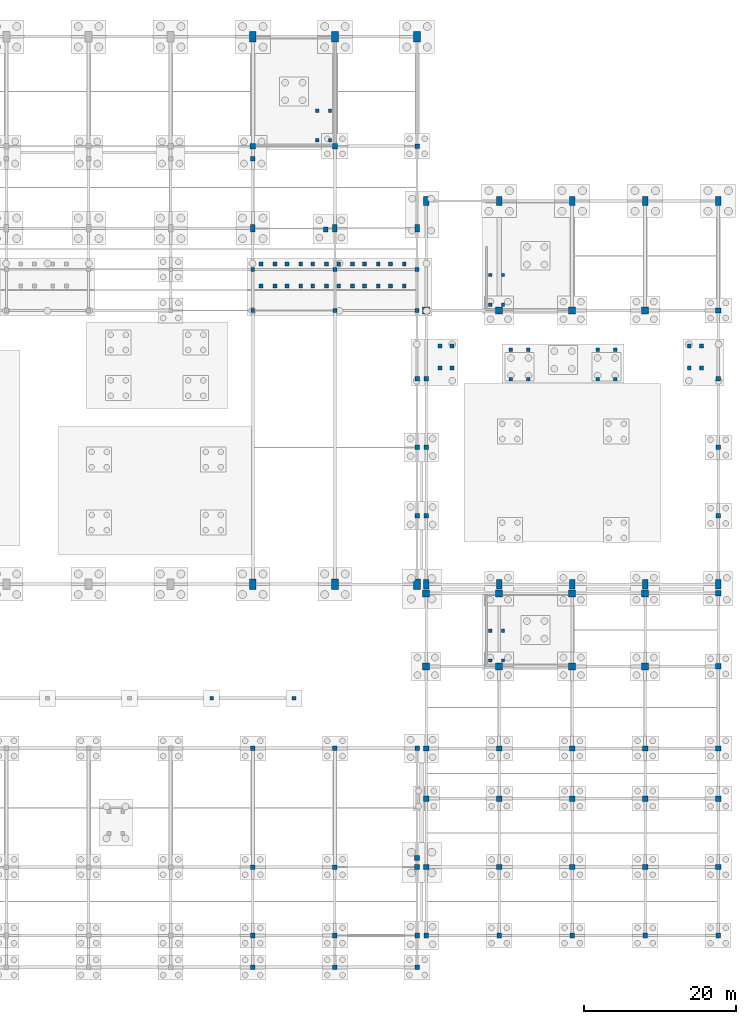
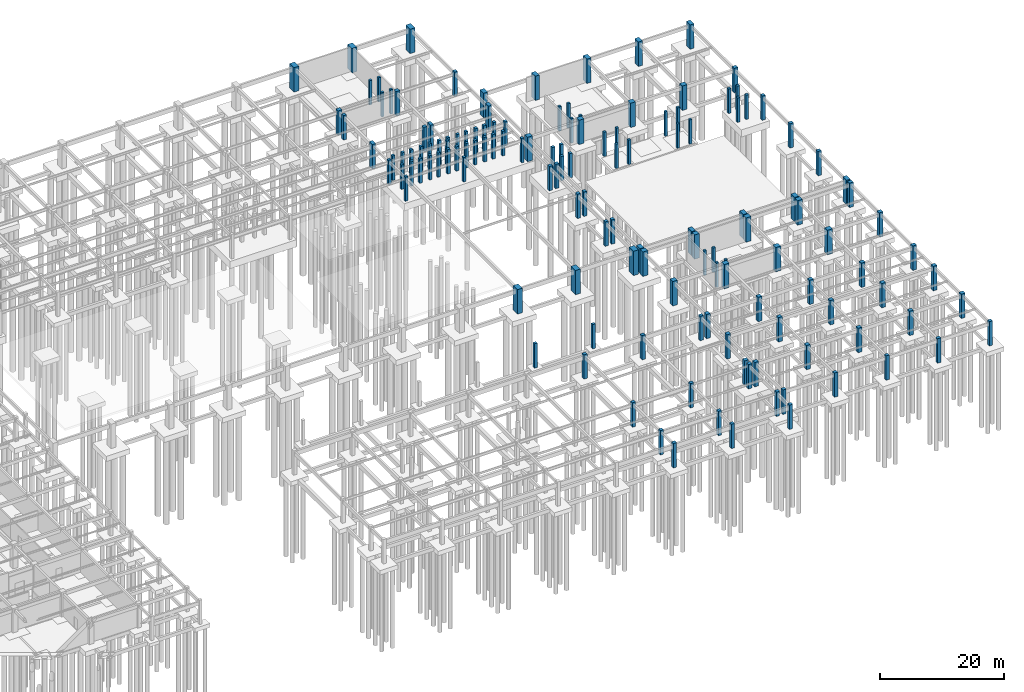
# One storey, part 13 of 33: 141 columns.
"""IFC4 building model written with IfcOpenShell, lengths in metres."""

from ifc_helpers import new_model, si_unit, direction, frame, origin, origin_2d, place, context, subcontext, project, spatial, rectangle, extrude, material, material_profile, profile_set, type_object, element, save


model = new_model("IFC4")

# Units and contexts
model_context = context("Model", 3, precision=1e-05, world=origin(), true_north=direction((0.0, 1.0)))
body_context = subcontext(model_context, "Body", "Model", "MODEL_VIEW")
ifc_project = project(units=[si_unit("LENGTHUNIT", "METRE"), si_unit("AREAUNIT", "SQUARE_METRE"), si_unit("VOLUMEUNIT", "CUBIC_METRE"), si_unit("PLANEANGLEUNIT", "RADIAN"), si_unit("MASSUNIT", "GRAM", prefix="KILO")], contexts=[model_context])

# Site, building, storey
site_placement = place(None, origin())
site = spatial("IfcSite", under=ifc_project, at=site_placement, CompositionType="ELEMENT")
building_placement = place(site_placement, origin())
building = spatial("IfcBuilding", under=site, at=building_placement, Name="Suirenkawa Promenade Aquatics Centre", CompositionType="ELEMENT")
storey_placement = place(building_placement, frame((0.0, 0.0, -4.800048828125)))
storey = spatial("IfcBuildingStorey", under=building, at=storey_placement, Name="B1", CompositionType="ELEMENT", Elevation=-4.800048828125)

# Columns
ifc_material = material(Name="Concrete M40", Category="concrete")
ifc_material_profile_1 = material_profile(ifc_material, rectangle(XDim=0.60009765625, YDim=1.0, at=origin_2d()), Name="RC PIER 600x1000", Category="concrete")
ifc_profile_set_1 = profile_set([ifc_material_profile_1], Name="Concrete M40")
column_type_1 = type_object("IfcColumnType", Name="CT-PIER-600x1000", PredefinedType="COLUMN", material=ifc_profile_set_1)
for number, where, z_axis, x_axis, name in (
    (1, (133.199951171875, 97.199951171875, 0.0), (0.0, 0.0, 1.0), (1.0, 0.0, 0.0), "Column CL-07 COL-0145"),
    (2, (144.0, 97.199951171875, 0.0), (0.0, 0.0, 1.0), (1.0, 0.0, 0.0), "Column CL-07 COL-0151"),
    (3, (154.800048828125, 97.199951171875, 0.0), (0.0, 0.0, 1.0), (1.0, 0.0, 0.0), "Column CL-07 COL-0157"),
):
    element("IfcColumn", number, at=place(storey_placement, frame(where, z_axis=z_axis, x_axis=x_axis)), inside=storey, type_object=column_type_1, Name=name, PredefinedType="COLUMN", context=body_context, shape_type="SweptSolid", body=[
        extrude(rectangle(XDim=0.60009765625, YDim=1.0, at=origin_2d()), origin(), (0.0, 0.0, 1.0), 4.800048828125),
    ])
ifc_material_profile_2 = material_profile(ifc_material, rectangle(XDim=0.75, YDim=1.199951171875, at=origin_2d()), Name="RC PIER 750x1200", Category="concrete")
ifc_profile_set_2 = profile_set([ifc_material_profile_2], Name="Concrete M40")
column_type_2 = type_object("IfcColumnType", Name="CT-PIER-750x1200", PredefinedType="COLUMN", material=ifc_profile_set_2)
for number, where, z_axis, x_axis, name in (
    (4, (156.0, 100.800048828125, 0.0), (0.0, 0.0, 1.0), (1.0, 0.0, 0.0), "Column CL-08 COL-0011"),
    (5, (165.60009765625, 100.800048828125, 0.0), (0.0, 0.0, 1.0), (1.0, 0.0, 0.0), "Column CL-08 COL-0016"),
    (6, (175.199951171875, 100.800048828125, 0.0), (0.0, 0.0, 1.0), (1.0, 0.0, 0.0), "Column CL-08 COL-0021"),
    (7, (184.800048828125, 100.800048828125, 0.0), (0.0, 0.0, 1.0), (1.0, 0.0, 0.0), "Column CL-08 COL-0026"),
    (8, (194.39990234375, 100.800048828125, 0.0), (0.0, 0.0, 1.0), (1.0, 0.0, 0.0), "Column CL-08 COL-0031"),
    (9, (156.0, 50.39990234375, 0.0), (0.0, 0.0, 1.0), (1.0, 0.0, 0.0), "Column CL-08 COL-0080"),
    (10, (165.60009765625, 50.39990234375, 0.0), (0.0, 0.0, 1.0), (1.0, 0.0, 0.0), "Column CL-08 COL-0084"),
    (11, (175.199951171875, 50.39990234375, 0.0), (0.0, 0.0, 1.0), (1.0, 0.0, 0.0), "Column CL-08 COL-0088"),
    (12, (184.800048828125, 50.39990234375, 0.0), (0.0, 0.0, 1.0), (1.0, 0.0, 0.0), "Column CL-08 COL-0092"),
    (13, (194.39990234375, 50.39990234375, 0.0), (0.0, 0.0, 1.0), (1.0, 0.0, 0.0), "Column CL-08 COL-0096"),
):
    element("IfcColumn", number, at=place(storey_placement, frame(where, z_axis=z_axis, x_axis=x_axis)), inside=storey, type_object=column_type_2, Name=name, PredefinedType="COLUMN", context=body_context, shape_type="SweptSolid", body=[
        extrude(rectangle(XDim=0.75, YDim=1.199951171875, at=origin_2d()), origin(), (0.0, 0.0, 1.0), 4.800048828125),
    ])
ifc_material_profile_3 = material_profile(ifc_material, rectangle(XDim=0.89990234375, YDim=1.39990234375, at=origin_2d()), Name="RC PIER 900x1400", Category="concrete")
ifc_profile_set_3 = profile_set([ifc_material_profile_3], Name="Concrete M40")
column_type_3 = type_object("IfcColumnType", Name="CT-PIER-900x1400", PredefinedType="COLUMN", material=ifc_profile_set_3)
for number, where, z_axis, x_axis, name in (
    (14, (133.199951171875, 122.39990234375, 0.0), (0.0, 0.0, 1.0), (1.0, 0.0, 0.0), "Column CL-09 COL-0068"),
    (15, (144.0, 122.39990234375, 0.0), (0.0, 0.0, 1.0), (1.0, 0.0, 0.0), "Column CL-09 COL-0072"),
    (16, (154.800048828125, 122.39990234375, 0.0), (0.0, 0.0, 1.0), (1.0, 0.0, 0.0), "Column CL-09 COL-0076"),
    (17, (133.199951171875, 50.39990234375, 0.0), (0.0, 0.0, 1.0), (1.0, 0.0, 0.0), "Column CL-09 COL-0142"),
    (18, (144.0, 50.39990234375, 0.0), (0.0, 0.0, 1.0), (1.0, 0.0, 0.0), "Column CL-09 COL-0148"),
    (19, (154.800048828125, 50.39990234375, 0.0), (0.0, 0.0, 1.0), (1.0, 0.0, 0.0), "Column CL-09 COL-0154"),
):
    element("IfcColumn", number, at=place(storey_placement, frame(where, z_axis=z_axis, x_axis=x_axis)), inside=storey, type_object=column_type_3, Name=name, PredefinedType="COLUMN", context=body_context, shape_type="SweptSolid", body=[
        extrude(rectangle(XDim=0.89990234375, YDim=1.39990234375, at=origin_2d()), origin(), (0.0, 0.0, 1.0), 4.800048828125),
    ])
ifc_material_profile_4 = material_profile(ifc_material, rectangle(XDim=0.449951171875, YDim=0.449951171875, at=origin_2d()), Name="RC COL 450x450", Category="concrete")
ifc_profile_set_4 = profile_set([ifc_material_profile_4], Name="Concrete M40")
column_type_4 = type_object("IfcColumnType", Name="CT-RC-450", PredefinedType="COLUMN", material=ifc_profile_set_4)
for number, where, z_axis, x_axis, name in (
    (20, (167.14990234375, 77.35009765625, 0.0), (0.0, 0.0, 1.0), (1.0, 0.0, 0.0), "Column CL-01 COL-1115"),
    (21, (167.14990234375, 81.25, 0.0), (0.0, 0.0, 1.0), (1.0, 0.0, 0.0), "Column CL-01 COL-1117"),
    (22, (169.449951171875, 77.35009765625, 0.0), (0.0, 0.0, 1.0), (1.0, 0.0, 0.0), "Column CL-01 COL-1119"),
    (23, (169.449951171875, 81.25, 0.0), (0.0, 0.0, 1.0), (1.0, 0.0, 0.0), "Column CL-01 COL-1121"),
    (24, (178.550048828125, 77.35009765625, 0.0), (0.0, 0.0, 1.0), (1.0, 0.0, 0.0), "Column CL-01 COL-1123"),
    (25, (178.550048828125, 81.25, 0.0), (0.0, 0.0, 1.0), (1.0, 0.0, 0.0), "Column CL-01 COL-1125"),
    (26, (180.85009765625, 77.35009765625, 0.0), (0.0, 0.0, 1.0), (1.0, 0.0, 0.0), "Column CL-01 COL-1127"),
    (27, (180.85009765625, 81.25, 0.0), (0.0, 0.0, 1.0), (1.0, 0.0, 0.0), "Column CL-01 COL-1129"),
    (28, (143.35009765625, 108.77001953125, 0.0), (0.0, 0.0, 1.0), (1.0, 0.0, 0.0), "Core stair landing column CL-01 COL-CR-C4-B1-1"),
    (29, (141.699951171875, 108.77001953125, 0.0), (0.0, 0.0, 1.0), (1.0, 0.0, 0.0), "Core stair landing column CL-01 COL-CR-C4-B1-2"),
    (30, (143.35009765625, 112.659912109375, 0.0), (0.0, 0.0, 1.0), (1.0, 0.0, 0.0), "Core stair landing column CL-01 COL-CR-C4-B1-3"),
    (31, (141.699951171875, 112.659912109375, 0.0), (0.0, 0.0, 1.0), (1.0, 0.0, 0.0), "Core stair landing column CL-01 COL-CR-C4-B1-4"),
    (32, (164.449951171875, 87.169921875, 0.0), (0.0, 0.0, 1.0), (1.0, 0.0, 0.0), "Core stair landing column CL-01 COL-CR-C5-B1-1"),
    (33, (166.10009765625, 87.169921875, 0.0), (0.0, 0.0, 1.0), (1.0, 0.0, 0.0), "Core stair landing column CL-01 COL-CR-C5-B1-2"),
    (34, (164.449951171875, 91.06005859375, 0.0), (0.0, 0.0, 1.0), (1.0, 0.0, 0.0), "Core stair landing column CL-01 COL-CR-C5-B1-3"),
    (35, (166.10009765625, 91.06005859375, 0.0), (0.0, 0.0, 1.0), (1.0, 0.0, 0.0), "Core stair landing column CL-01 COL-CR-C5-B1-4"),
    (36, (164.449951171875, 40.3701171875, 0.0), (0.0, 0.0, 1.0), (1.0, 0.0, 0.0), "Core stair landing column CL-01 COL-CR-C6-B1-1"),
    (37, (166.10009765625, 40.3701171875, 0.0), (0.0, 0.0, 1.0), (1.0, 0.0, 0.0), "Core stair landing column CL-01 COL-CR-C6-B1-2"),
    (38, (164.449951171875, 44.260009765625, 0.0), (0.0, 0.0, 1.0), (1.0, 0.0, 0.0), "Core stair landing column CL-01 COL-CR-C6-B1-3"),
    (39, (166.10009765625, 44.260009765625, 0.0), (0.0, 0.0, 1.0), (1.0, 0.0, 0.0), "Core stair landing column CL-01 COL-CR-C6-B1-4"),
):
    element("IfcColumn", number, at=place(storey_placement, frame(where, z_axis=z_axis, x_axis=x_axis)), inside=storey, type_object=column_type_4, Name=name, PredefinedType="COLUMN", context=body_context, shape_type="SweptSolid", body=[
        extrude(rectangle(XDim=0.449951171875, YDim=0.449951171875, at=origin_2d()), origin(), (0.0, 0.0, 1.0), 4.800048828125),
    ])
ifc_material_profile_5 = material_profile(ifc_material, rectangle(XDim=0.5, YDim=0.5, at=origin_2d()), Name="RC COL 500x500", Category="concrete")
ifc_profile_set_5 = profile_set([ifc_material_profile_5], Name="Concrete M40")
column_type_5 = type_object("IfcColumnType", Name="CT-RC-500", PredefinedType="COLUMN", material=ifc_profile_set_5)
for number, where, z_axis, x_axis, name in (
    (40, (133.199951171875, 86.39990234375, 0.0), (0.0, 0.0, 1.0), (1.0, 0.0, 0.0), "Column CL-02 COL-0979"),
    (41, (133.199951171875, 91.800048828125, 0.0), (0.0, 0.0, 1.0), (1.0, 0.0, 0.0), "Column CL-02 COL-0981"),
    (42, (144.0, 86.39990234375, 0.0), (0.0, 0.0, 1.0), (1.0, 0.0, 0.0), "Column CL-02 COL-0983"),
    (43, (144.0, 91.800048828125, 0.0), (0.0, 0.0, 1.0), (1.0, 0.0, 0.0), "Column CL-02 COL-0985"),
    (44, (154.800048828125, 86.39990234375, 0.0), (0.0, 0.0, 1.0), (1.0, 0.0, 0.0), "Column CL-02 COL-0987"),
    (45, (154.800048828125, 91.800048828125, 0.0), (0.0, 0.0, 1.0), (1.0, 0.0, 0.0), "Column CL-02 COL-0989"),
    (46, (134.294921875, 89.625, 0.0), (0.0, 0.0, 1.0), (1.0, 0.0, 0.0), "Column CL-02 COL-1023"),
    (47, (134.294921875, 92.52490234375, 0.0), (0.0, 0.0, 1.0), (1.0, 0.0, 0.0), "Column CL-02 COL-1025"),
    (48, (136.10498046875, 89.625, 0.0), (0.0, 0.0, 1.0), (1.0, 0.0, 0.0), "Column CL-02 COL-1027"),
    (49, (136.10498046875, 92.52490234375, 0.0), (0.0, 0.0, 1.0), (1.0, 0.0, 0.0), "Column CL-02 COL-1029"),
    (50, (137.695068359375, 89.625, 0.0), (0.0, 0.0, 1.0), (1.0, 0.0, 0.0), "Column CL-02 COL-1031"),
    (51, (137.695068359375, 92.52490234375, 0.0), (0.0, 0.0, 1.0), (1.0, 0.0, 0.0), "Column CL-02 COL-1033"),
    (52, (139.5048828125, 89.625, 0.0), (0.0, 0.0, 1.0), (1.0, 0.0, 0.0), "Column CL-02 COL-1035"),
    (53, (139.5048828125, 92.52490234375, 0.0), (0.0, 0.0, 1.0), (1.0, 0.0, 0.0), "Column CL-02 COL-1037"),
    (54, (141.094970703125, 89.625, 0.0), (0.0, 0.0, 1.0), (1.0, 0.0, 0.0), "Column CL-02 COL-1039"),
    (55, (141.094970703125, 92.52490234375, 0.0), (0.0, 0.0, 1.0), (1.0, 0.0, 0.0), "Column CL-02 COL-1041"),
    (56, (142.905029296875, 89.625, 0.0), (0.0, 0.0, 1.0), (1.0, 0.0, 0.0), "Column CL-02 COL-1043"),
    (57, (142.905029296875, 92.52490234375, 0.0), (0.0, 0.0, 1.0), (1.0, 0.0, 0.0), "Column CL-02 COL-1045"),
    (58, (144.4951171875, 89.625, 0.0), (0.0, 0.0, 1.0), (1.0, 0.0, 0.0), "Column CL-02 COL-1047"),
    (59, (144.4951171875, 92.52490234375, 0.0), (0.0, 0.0, 1.0), (1.0, 0.0, 0.0), "Column CL-02 COL-1049"),
    (60, (146.304931640625, 89.625, 0.0), (0.0, 0.0, 1.0), (1.0, 0.0, 0.0), "Column CL-02 COL-1051"),
    (61, (146.304931640625, 92.52490234375, 0.0), (0.0, 0.0, 1.0), (1.0, 0.0, 0.0), "Column CL-02 COL-1053"),
    (62, (147.89501953125, 89.625, 0.0), (0.0, 0.0, 1.0), (1.0, 0.0, 0.0), "Column CL-02 COL-1055"),
    (63, (147.89501953125, 92.52490234375, 0.0), (0.0, 0.0, 1.0), (1.0, 0.0, 0.0), "Column CL-02 COL-1057"),
    (64, (149.705078125, 89.625, 0.0), (0.0, 0.0, 1.0), (1.0, 0.0, 0.0), "Column CL-02 COL-1059"),
    (65, (149.705078125, 92.52490234375, 0.0), (0.0, 0.0, 1.0), (1.0, 0.0, 0.0), "Column CL-02 COL-1061"),
    (66, (151.294921875, 89.625, 0.0), (0.0, 0.0, 1.0), (1.0, 0.0, 0.0), "Column CL-02 COL-1063"),
    (67, (151.294921875, 92.52490234375, 0.0), (0.0, 0.0, 1.0), (1.0, 0.0, 0.0), "Column CL-02 COL-1065"),
    (68, (153.10498046875, 89.625, 0.0), (0.0, 0.0, 1.0), (1.0, 0.0, 0.0), "Column CL-02 COL-1067"),
    (69, (153.10498046875, 92.52490234375, 0.0), (0.0, 0.0, 1.0), (1.0, 0.0, 0.0), "Column CL-02 COL-1069"),
    (70, (157.81005859375, 78.824951171875, 0.0), (0.0, 0.0, 1.0), (1.0, 0.0, 0.0), "Column CL-02 COL-1087"),
    (71, (157.81005859375, 81.72509765625, 0.0), (0.0, 0.0, 1.0), (1.0, 0.0, 0.0), "Column CL-02 COL-1089"),
    (72, (159.389892578125, 78.824951171875, 0.0), (0.0, 0.0, 1.0), (1.0, 0.0, 0.0), "Column CL-02 COL-1091"),
    (73, (159.389892578125, 81.72509765625, 0.0), (0.0, 0.0, 1.0), (1.0, 0.0, 0.0), "Column CL-02 COL-1093"),
    (74, (190.610107421875, 78.824951171875, 0.0), (0.0, 0.0, 1.0), (1.0, 0.0, 0.0), "Column CL-02 COL-1095"),
    (75, (190.610107421875, 81.72509765625, 0.0), (0.0, 0.0, 1.0), (1.0, 0.0, 0.0), "Column CL-02 COL-1097"),
    (76, (192.18994140625, 78.824951171875, 0.0), (0.0, 0.0, 1.0), (1.0, 0.0, 0.0), "Column CL-02 COL-1099"),
    (77, (192.18994140625, 81.72509765625, 0.0), (0.0, 0.0, 1.0), (1.0, 0.0, 0.0), "Column CL-02 COL-1101"),
    (78, (127.800048828125, 35.39990234375, 0.0), (0.0, 0.0, 1.0), (1.0, 0.0, 0.0), "Column CL-02 COL-1111"),
    (79, (138.60009765625, 35.39990234375, 0.0), (0.0, 0.0, 1.0), (1.0, 0.0, 0.0), "Column CL-02 COL-1113"),
):
    element("IfcColumn", number, at=place(storey_placement, frame(where, z_axis=z_axis, x_axis=x_axis)), inside=storey, type_object=column_type_5, Name=name, PredefinedType="COLUMN", context=body_context, shape_type="SweptSolid", body=[
        extrude(rectangle(XDim=0.5, YDim=0.5, at=origin_2d()), origin(), (0.0, 0.0, 1.0), 4.800048828125),
    ])
ifc_material_profile_6 = material_profile(ifc_material, rectangle(XDim=0.60009765625, YDim=0.60009765625, at=origin_2d()), Name="RC COL 600x600", Category="concrete")
ifc_profile_set_6 = profile_set([ifc_material_profile_6], Name="Concrete M40")
column_type_6 = type_object("IfcColumnType", Name="CT-RC-600", PredefinedType="COLUMN", material=ifc_profile_set_6)
for number, where, z_axis, x_axis, name in (
    (80, (156.0, 59.39990234375, 0.0), (0.0, 0.0, 1.0), (1.0, 0.0, 0.0), "Column CL-03 COL-0616"),
    (81, (156.0, 68.39990234375, 0.0), (0.0, 0.0, 1.0), (1.0, 0.0, 0.0), "Column CL-03 COL-0620"),
    (82, (156.0, 77.39990234375, 0.0), (0.0, 0.0, 1.0), (1.0, 0.0, 0.0), "Column CL-03 COL-0624"),
    (83, (194.39990234375, 59.39990234375, 0.0), (0.0, 0.0, 1.0), (1.0, 0.0, 0.0), "Column CL-03 COL-0628"),
    (84, (194.39990234375, 68.39990234375, 0.0), (0.0, 0.0, 1.0), (1.0, 0.0, 0.0), "Column CL-03 COL-0632"),
    (85, (194.39990234375, 77.39990234375, 0.0), (0.0, 0.0, 1.0), (1.0, 0.0, 0.0), "Column CL-03 COL-0636"),
    (86, (133.199951171875, 106.35009765625, 0.0), (0.0, 0.0, 1.0), (1.0, 0.0, 0.0), "Column CL-03 COL-0776"),
    (87, (142.800048828125, 97.050048828125, 0.0), (0.0, 0.0, 1.0), (1.0, 0.0, 0.0), "Column CL-03 COL-0779"),
    (88, (154.800048828125, 108.0, 0.0), (0.0, 0.0, 1.0), (1.0, 0.0, 0.0), "Column CL-03 COL-0782"),
    (89, (154.800048828125, 59.39990234375, 0.0), (0.0, 0.0, 1.0), (1.0, 0.0, 0.0), "Column CL-03 COL-0794"),
    (90, (154.800048828125, 68.39990234375, 0.0), (0.0, 0.0, 1.0), (1.0, 0.0, 0.0), "Column CL-03 COL-0797"),
    (91, (154.800048828125, 77.39990234375, 0.0), (0.0, 0.0, 1.0), (1.0, 0.0, 0.0), "Column CL-03 COL-0800"),
    (92, (133.199951171875, 0.0, 0.0), (0.0, 0.0, 1.0), (1.0, 0.0, 0.0), "Column CL-03 COL-0863"),
    (93, (133.199951171875, 4.199951171875, 0.0), (0.0, 0.0, 1.0), (1.0, 0.0, 0.0), "Column CL-03 COL-0866"),
    (94, (133.199951171875, 13.199951171875, 0.0), (0.0, 0.0, 1.0), (1.0, 0.0, 0.0), "Column CL-03 COL-0869"),
    (95, (133.199951171875, 28.800048828125, 0.0), (0.0, 0.0, 1.0), (1.0, 0.0, 0.0), "Column CL-03 COL-0872"),
    (96, (144.0, 0.0, 0.0), (0.0, 0.0, 1.0), (1.0, 0.0, 0.0), "Column CL-03 COL-0875"),
    (97, (144.0, 4.199951171875, 0.0), (0.0, 0.0, 1.0), (1.0, 0.0, 0.0), "Column CL-03 COL-0878"),
    (98, (144.0, 13.199951171875, 0.0), (0.0, 0.0, 1.0), (1.0, 0.0, 0.0), "Column CL-03 COL-0881"),
    (99, (144.0, 28.800048828125, 0.0), (0.0, 0.0, 1.0), (1.0, 0.0, 0.0), "Column CL-03 COL-0884"),
    (100, (154.800048828125, 0.0, 0.0), (0.0, 0.0, 1.0), (1.0, 0.0, 0.0), "Column CL-03 COL-0887"),
    (101, (154.800048828125, 4.199951171875, 0.0), (0.0, 0.0, 1.0), (1.0, 0.0, 0.0), "Column CL-03 COL-0890"),
    (102, (154.800048828125, 28.800048828125, 0.0), (0.0, 0.0, 1.0), (1.0, 0.0, 0.0), "Column CL-03 COL-0893"),
    (103, (156.0, 4.199951171875, 0.0), (0.0, 0.0, 1.0), (1.0, 0.0, 0.0), "Column CL-03 COL-0920"),
    (104, (165.60009765625, 4.199951171875, 0.0), (0.0, 0.0, 1.0), (1.0, 0.0, 0.0), "Column CL-03 COL-0923"),
    (105, (175.199951171875, 4.199951171875, 0.0), (0.0, 0.0, 1.0), (1.0, 0.0, 0.0), "Column CL-03 COL-0926"),
    (106, (184.800048828125, 4.199951171875, 0.0), (0.0, 0.0, 1.0), (1.0, 0.0, 0.0), "Column CL-03 COL-0929"),
    (107, (194.39990234375, 4.199951171875, 0.0), (0.0, 0.0, 1.0), (1.0, 0.0, 0.0), "Column CL-03 COL-0932"),
):
    element("IfcColumn", number, at=place(storey_placement, frame(where, z_axis=z_axis, x_axis=x_axis)), inside=storey, type_object=column_type_6, Name=name, PredefinedType="COLUMN", context=body_context, shape_type="SweptSolid", body=[
        extrude(rectangle(XDim=0.60009765625, YDim=0.60009765625, at=origin_2d()), origin(), (0.0, 0.0, 1.0), 4.800048828125),
    ])
ifc_material_profile_7 = material_profile(ifc_material, rectangle(XDim=0.699951171875, YDim=0.699951171875, at=origin_2d()), Name="RC COL 700x700", Category="concrete")
ifc_profile_set_7 = profile_set([ifc_material_profile_7], Name="Concrete M40")
column_type_7 = type_object("IfcColumnType", Name="CT-RC-700", PredefinedType="COLUMN", material=ifc_profile_set_7)
for number, where, z_axis, x_axis, name in (
    (108, (133.199951171875, 108.0, 0.0), (0.0, 0.0, 1.0), (1.0, 0.0, 0.0), "Column CL-04 COL-0604"),
    (109, (144.0, 108.0, 0.0), (0.0, 0.0, 1.0), (1.0, 0.0, 0.0), "Column CL-04 COL-0608"),
    (110, (194.39990234375, 86.39990234375, 0.0), (0.0, 0.0, 1.0), (1.0, 0.0, 0.0), "Column CL-04 COL-0612"),
    (111, (154.800048828125, 13.199951171875, 0.0), (0.0, 0.0, 1.0), (1.0, 0.0, 0.0), "Column CL-04 COL-0640"),
    (112, (154.800048828125, 14.39990234375, 0.0), (0.0, 0.0, 1.0), (1.0, 0.0, 0.0), "Column CL-04 COL-0644"),
    (113, (156.0, 13.199951171875, 0.0), (0.0, 0.0, 1.0), (1.0, 0.0, 0.0), "Column CL-04 COL-0648"),
    (114, (156.0, 22.199951171875, 0.0), (0.0, 0.0, 1.0), (1.0, 0.0, 0.0), "Column CL-04 COL-0652"),
    (115, (156.0, 28.800048828125, 0.0), (0.0, 0.0, 1.0), (1.0, 0.0, 0.0), "Column CL-04 COL-0656"),
    (116, (165.60009765625, 13.199951171875, 0.0), (0.0, 0.0, 1.0), (1.0, 0.0, 0.0), "Column CL-04 COL-0660"),
    (117, (165.60009765625, 22.199951171875, 0.0), (0.0, 0.0, 1.0), (1.0, 0.0, 0.0), "Column CL-04 COL-0664"),
    (118, (165.60009765625, 28.800048828125, 0.0), (0.0, 0.0, 1.0), (1.0, 0.0, 0.0), "Column CL-04 COL-0668"),
    (119, (175.199951171875, 13.199951171875, 0.0), (0.0, 0.0, 1.0), (1.0, 0.0, 0.0), "Column CL-04 COL-0672"),
    (120, (175.199951171875, 22.199951171875, 0.0), (0.0, 0.0, 1.0), (1.0, 0.0, 0.0), "Column CL-04 COL-0676"),
    (121, (175.199951171875, 28.800048828125, 0.0), (0.0, 0.0, 1.0), (1.0, 0.0, 0.0), "Column CL-04 COL-0680"),
    (122, (184.800048828125, 13.199951171875, 0.0), (0.0, 0.0, 1.0), (1.0, 0.0, 0.0), "Column CL-04 COL-0684"),
    (123, (184.800048828125, 22.199951171875, 0.0), (0.0, 0.0, 1.0), (1.0, 0.0, 0.0), "Column CL-04 COL-0688"),
    (124, (184.800048828125, 28.800048828125, 0.0), (0.0, 0.0, 1.0), (1.0, 0.0, 0.0), "Column CL-04 COL-0692"),
    (125, (194.39990234375, 13.199951171875, 0.0), (0.0, 0.0, 1.0), (1.0, 0.0, 0.0), "Column CL-04 COL-0696"),
    (126, (194.39990234375, 22.199951171875, 0.0), (0.0, 0.0, 1.0), (1.0, 0.0, 0.0), "Column CL-04 COL-0700"),
    (127, (194.39990234375, 28.800048828125, 0.0), (0.0, 0.0, 1.0), (1.0, 0.0, 0.0), "Column CL-04 COL-0704"),
    (128, (194.39990234375, 39.60009765625, 0.0), (0.0, 0.0, 1.0), (1.0, 0.0, 0.0), "Column CL-04 COL-0708"),
    (129, (194.39990234375, 49.199951171875, 0.0), (0.0, 0.0, 1.0), (1.0, 0.0, 0.0), "Column CL-04 COL-0712"),
):
    element("IfcColumn", number, at=place(storey_placement, frame(where, z_axis=z_axis, x_axis=x_axis)), inside=storey, type_object=column_type_7, Name=name, PredefinedType="COLUMN", context=body_context, shape_type="SweptSolid", body=[
        extrude(rectangle(XDim=0.699951171875, YDim=0.699951171875, at=origin_2d()), origin(), (0.0, 0.0, 1.0), 4.800048828125),
    ])
ifc_material_profile_8 = material_profile(ifc_material, rectangle(XDim=0.89990234375, YDim=0.89990234375, at=origin_2d()), Name="RC COL 900x900", Category="concrete")
ifc_profile_set_8 = profile_set([ifc_material_profile_8], Name="Concrete M40")
column_type_8 = type_object("IfcColumnType", Name="CT-RC-900", PredefinedType="COLUMN", material=ifc_profile_set_8)
for number, where, z_axis, x_axis, name in (
    (130, (156.0, 86.39990234375, 0.0), (0.0, 0.0, 1.0), (1.0, 0.0, 0.0), "Column CL-06 COL-0412"),
    (131, (165.60009765625, 86.39990234375, 0.0), (0.0, 0.0, 1.0), (1.0, 0.0, 0.0), "Column CL-06 COL-0417"),
    (132, (175.199951171875, 86.39990234375, 0.0), (0.0, 0.0, 1.0), (1.0, 0.0, 0.0), "Column CL-06 COL-0422"),
    (133, (184.800048828125, 86.39990234375, 0.0), (0.0, 0.0, 1.0), (1.0, 0.0, 0.0), "Column CL-06 COL-0427"),
    (134, (156.0, 39.60009765625, 0.0), (0.0, 0.0, 1.0), (1.0, 0.0, 0.0), "Column CL-06 COL-0452"),
    (135, (156.0, 49.199951171875, 0.0), (0.0, 0.0, 1.0), (1.0, 0.0, 0.0), "Column CL-06 COL-0457"),
    (136, (165.60009765625, 39.60009765625, 0.0), (0.0, 0.0, 1.0), (1.0, 0.0, 0.0), "Column CL-06 COL-0462"),
    (137, (165.60009765625, 49.199951171875, 0.0), (0.0, 0.0, 1.0), (1.0, 0.0, 0.0), "Column CL-06 COL-0467"),
    (138, (175.199951171875, 39.60009765625, 0.0), (0.0, 0.0, 1.0), (1.0, 0.0, 0.0), "Column CL-06 COL-0472"),
    (139, (175.199951171875, 49.199951171875, 0.0), (0.0, 0.0, 1.0), (1.0, 0.0, 0.0), "Column CL-06 COL-0477"),
    (140, (184.800048828125, 39.60009765625, 0.0), (0.0, 0.0, 1.0), (1.0, 0.0, 0.0), "Column CL-06 COL-0482"),
    (141, (184.800048828125, 49.199951171875, 0.0), (0.0, 0.0, 1.0), (1.0, 0.0, 0.0), "Column CL-06 COL-0487"),
):
    element("IfcColumn", number, at=place(storey_placement, frame(where, z_axis=z_axis, x_axis=x_axis)), inside=storey, type_object=column_type_8, Name=name, PredefinedType="COLUMN", context=body_context, shape_type="SweptSolid", body=[
        extrude(rectangle(XDim=0.89990234375, YDim=0.89990234375, at=origin_2d()), origin(), (0.0, 0.0, 1.0), 4.800048828125),
    ])

save(model, "model.ifc")
